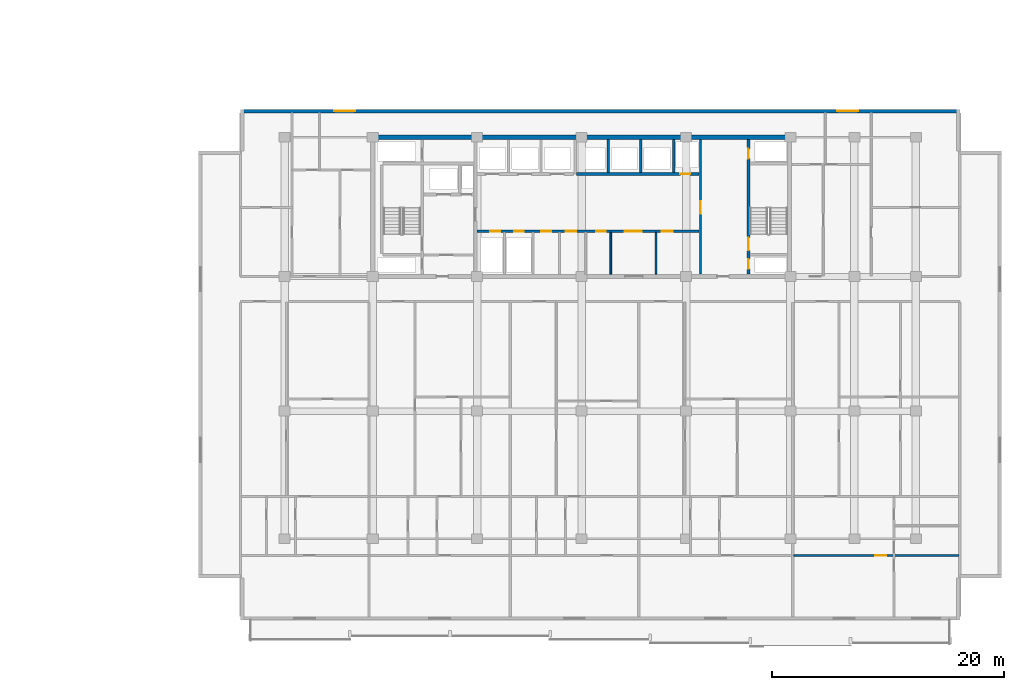
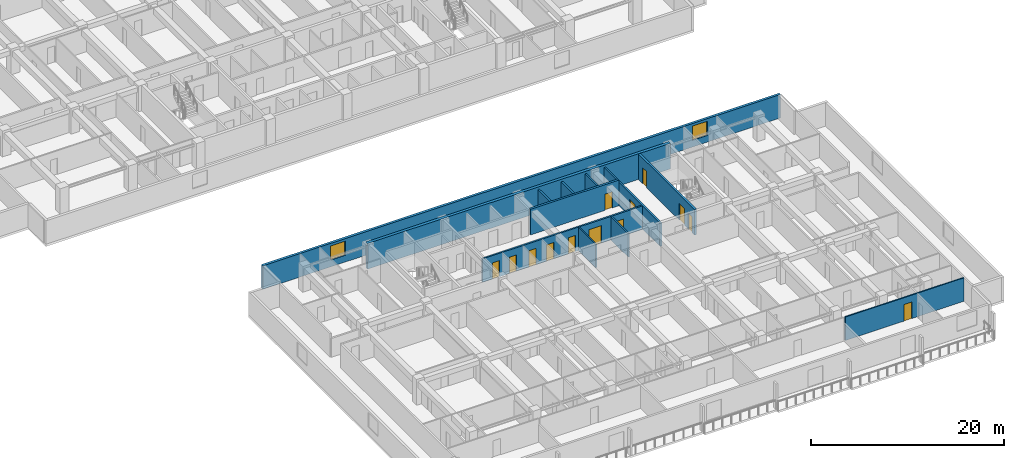
# One storey, part 7 of 23: 13 doors, 12 walls, 2 windows, 15 openings.
"""IFC4 building model written with IfcOpenShell, lengths in metres."""

from ifc_helpers import new_model, si_unit, direction, frame, frame_2d, origin, place, context, subcontext, project, spatial, rectangle, extrude, material, layer, layer_set, type_object, element, fill, save


model = new_model("IFC4")

# Units and contexts
model_context = context("Model", 3, precision=1e-05, world=origin(), true_north=direction((0.0, 1.0)))
body_context = subcontext(model_context, "Body", "Model", "MODEL_VIEW")
ifc_project = project(units=[si_unit("LENGTHUNIT", "METRE"), si_unit("AREAUNIT", "SQUARE_METRE"), si_unit("VOLUMEUNIT", "CUBIC_METRE"), si_unit("PLANEANGLEUNIT", "RADIAN"), si_unit("MASSUNIT", "GRAM", prefix="KILO")], contexts=[model_context])

# Site, building, storey
site_placement = place(None, origin())
site = spatial("IfcSite", under=ifc_project, at=site_placement, CompositionType="ELEMENT")
building_placement = place(site_placement, origin())
building = spatial("IfcBuilding", under=site, at=building_placement, Name="Korimba Cascade Residences", CompositionType="ELEMENT")
storey_placement = place(building_placement, frame((0.0, 0.0, 27.25)))
storey = spatial("IfcBuildingStorey", under=building, at=storey_placement, Name="L06", CompositionType="ELEMENT", Elevation=27.25)

# Wall, openings, windows
ifc_material_1 = material(Name="Precast concrete C40/50", Category="concrete")
ifc_layer_1 = layer(ifc_material_1, 0.300048828125)
ifc_layer_set_1 = layer_set([ifc_layer_1], Name="Precast concrete C40/50")
wall_type_1 = type_object("IfcWallType", Name="EW-STONE-300", PredefinedType="STANDARD", material=ifc_layer_set_1)
wall_1_placement = place(storey_placement, frame((132.699951171875, 32.64990234375, 0.0), z_axis=(0.0, 0.0, 1.0), x_axis=(-1.0, 0.0, 0.0)))
wall_1 = element("IfcWall", 1, at=wall_1_placement, inside=storey, type_object=wall_type_1, Name="L06 T2 Perimeter Stone Wall E06", PredefinedType="STANDARD", context=body_context, shape_type="SweptSolid", body=[
    extrude(rectangle(XDim=62.0, YDim=0.300048828125, at=frame_2d((31.0, 0.0))), origin(), (0.0, 0.0, 1.0), 2.969970703125),
])
opening_1_placement = place(wall_1_placement, frame((52.125, 0.0, 0.85009765625)))
opening_1 = element("IfcOpeningElement", 2, at=opening_1_placement, cuts=wall_1, Name="Opening W-02", PredefinedType="OPENING", context=body_context, shape_type="SweptSolid", body=[
    extrude(rectangle(XDim=1.800048828125, YDim=1.800048828125, at=frame_2d((0.89990234375, 0.89990234375))), frame((0.0, 0.16015625, 0.0), z_axis=(0.0, -1.0, 0.0), x_axis=(1.0, 0.0, 0.0)), (0.0, 0.0, 1.0), 0.320068359375),
])
opening_2_placement = place(wall_1_placement, frame((8.77490234375, 0.0, 0.85009765625)))
opening_2 = element("IfcOpeningElement", 3, at=opening_2_placement, cuts=wall_1, Name="Opening W-02", PredefinedType="OPENING", context=body_context, shape_type="SweptSolid", body=[
    extrude(rectangle(XDim=1.800048828125, YDim=1.800048828125, at=frame_2d((0.89990234375, 0.89990234375))), frame((0.0, 0.16015625, 0.0), z_axis=(0.0, -1.0, 0.0), x_axis=(1.0, 0.0, 0.0)), (0.0, 0.0, 1.0), 0.320068359375),
])
ifc_material_2 = material(Name="Double-Glazed Aluminium Window", Category="aluminium")
window_type = type_object("IfcWindowType", Name="WIN-BED-1800", PartitioningType="SINGLE_PANEL", PredefinedType="WINDOW", material=ifc_material_2)
window_1_placement = place(opening_1_placement, origin())
window_1 = element("IfcWindow", 4, at=window_1_placement, inside=storey, type_object=window_type, Name="L06 T2 North Corner Bedroom Window 1", OverallHeight=1.800048828125, OverallWidth=1.800048828125, PartitioningType="SINGLE_PANEL", PredefinedType="WINDOW", context=body_context, shape_type="SweptSolid", body=[
    extrude(rectangle(XDim=1.800048828125, YDim=1.800048828125, at=frame_2d((0.89990234375, 0.89990234375))), frame((0.0, 0.030029296875, 0.0), z_axis=(0.0, -1.0, 0.0), x_axis=(1.0, 0.0, 0.0)), (0.0, 0.0, 1.0), 0.06005859375),
])
fill(opening_1, window_1)
window_2_placement = place(opening_2_placement, origin())
window_2 = element("IfcWindow", 5, at=window_2_placement, inside=storey, type_object=window_type, Name="L06 T2 North Corner Bedroom Window 2", OverallHeight=1.800048828125, OverallWidth=1.800048828125, PartitioningType="SINGLE_PANEL", PredefinedType="WINDOW", context=body_context, shape_type="SweptSolid", body=[
    extrude(rectangle(XDim=1.800048828125, YDim=1.800048828125, at=frame_2d((0.89990234375, 0.89990234375))), frame((0.0, 0.030029296875, 0.0), z_axis=(0.0, -1.0, 0.0), x_axis=(1.0, 0.0, 0.0)), (0.0, 0.0, 1.0), 0.06005859375),
])
fill(opening_2, window_2)

# Walls
ifc_material_3 = material(Name="Concrete C65/80", Category="concrete")
ifc_layer_2 = layer(ifc_material_3, 0.35009765625)
ifc_layer_set_2 = layer_set([ifc_layer_2], Name="Concrete C65/80")
wall_type_2 = type_object("IfcWallType", Name="WAL-CORE-350", PredefinedType="SHEAR", material=ifc_layer_set_2)
wall_2_placement = place(storey_placement, frame((81.925048828125, 30.39990234375, 0.0), z_axis=(0.0, 0.0, 1.0), x_axis=(1.0, 0.0, 0.0)))
element("IfcWall", 6, at=wall_2_placement, inside=storey, type_object=wall_type_2, Name="L06 Core Shear Wall CW-L06-T2-N", PredefinedType="SHEAR", context=body_context, shape_type="SweptSolid", body=[
    extrude(rectangle(XDim=36.264892578125, YDim=0.35009765625, at=frame_2d((18.13232421875, 0.0))), origin(), (0.0, 0.0, 1.0), 3.25),
])
ifc_material_4 = material(Name="Insulated Acoustic Stud Partition", Category="gypsum")
ifc_layer_3 = layer(ifc_material_4, 0.14990234375)
ifc_layer_set_3 = layer_set([ifc_layer_3], Name="Insulated Acoustic Stud Partition")
wall_type_3 = type_object("IfcWallType", Name="WAL-PART-150", PredefinedType="PARTITIONING", material=ifc_layer_set_3)
for number, where, z_axis, x_axis, name in (
    (7, (102.60009765625, 18.60009765625, 0.0), (0.0, 0.0, 1.0), (0.0, 1.0, 0.0), "L06 Partition Wall CW-L06-T2-THW"),
    (8, (106.5, 18.60009765625, 0.0), (0.0, 0.0, 1.0), (0.0, 1.0, 0.0), "L06 Partition Wall CW-L06-T2-THE"),
):
    element("IfcWall", number, at=place(storey_placement, frame(where, z_axis=z_axis, x_axis=x_axis)), inside=storey, type_object=wall_type_3, Name=name, PredefinedType="PARTITIONING", context=body_context, shape_type="SweptSolid", body=[
        extrude(rectangle(XDim=3.599853515625, YDim=0.14990234375, at=frame_2d((1.7998046875, 0.0))), origin(), (0.0, 0.0, 1.0), 2.969970703125),
    ])

# Wall, opening, door
wall_3_placement = place(storey_placement, frame((118.38720703125, -5.64990234375, 0.0), z_axis=(0.0, 0.0, 1.0), x_axis=(1.0, 0.0, 0.0)))
wall_3 = element("IfcWall", 9, at=wall_3_placement, inside=storey, type_object=wall_type_3, Name="L06 Partition Wall WAL-L06-T2-U05-HZ", PredefinedType="PARTITIONING", context=body_context, shape_type="SweptSolid", body=[
    extrude(rectangle(XDim=14.23291015625, YDim=0.14990234375, at=frame_2d((7.116455078125, 0.0))), origin(), (0.0, 0.0, 1.0), 2.969970703125),
])
opening_3_placement = place(wall_3_placement, frame((7.01123046875, 0.0, 0.0)))
opening_3 = element("IfcOpeningElement", 10, at=opening_3_placement, cuts=wall_3, Name="Opening D-IN0", PredefinedType="OPENING", context=body_context, shape_type="SweptSolid", body=[
    extrude(rectangle(XDim=0.93994140625, YDim=2.10009765625, at=frame_2d((0.469970703125, 1.050048828125))), frame((0.0, 0.0849609375, 0.0), z_axis=(0.0, -1.0, 0.0), x_axis=(1.0, 0.0, 0.0)), (0.0, 0.0, 1.0), 0.169921875),
])
ifc_material_5 = material(Name="Acoustic Timber Living Archway Door", Category="wood")
door_type_1 = type_object("IfcDoorType", Name="DR-INT-950", OperationType="NOTDEFINED", PredefinedType="DOOR", material=ifc_material_5)
door_1_placement = place(opening_3_placement, origin())
door_1 = element("IfcDoor", 11, at=door_1_placement, inside=storey, type_object=door_type_1, Name="L06-T2-U05 Living Archway Door", OperationType="SINGLE_SWING_LEFT", OverallHeight=2.10009765625, OverallWidth=0.93994140625, PredefinedType="DOOR", context=body_context, shape_type="SweptSolid", body=[
    extrude(rectangle(XDim=0.93994140625, YDim=2.10009765625, at=frame_2d((0.469970703125, 1.050048828125))), frame((0.0, 0.02490234375, 0.0), z_axis=(0.0, -1.0, 0.0), x_axis=(1.0, 0.0, 0.0)), (0.0, 0.0, 1.0), 0.050048828125),
])
fill(opening_3, door_1)

# Walls
ifc_material_6 = material(Name="Concrete C40/50", Category="concrete")
ifc_layer_4 = layer(ifc_material_6, 0.199951171875)
ifc_layer_set_4 = layer_set([ifc_layer_4], Name="Concrete C40/50")
wall_type_4 = type_object("IfcWallType", Name="WAL-PART-200", PredefinedType="PARTITIONING", material=ifc_layer_set_4)
for number, where, z_axis, x_axis, name in (
    (12, (102.39990234375, 27.3798828125, 0.0), (0.0, 0.0, 1.0), (0.0, 1.0, 0.0), "L06 Partition Wall CW-L06-T2-B2D1"),
    (13, (105.199951171875, 27.3798828125, 0.0), (0.0, 0.0, 1.0), (0.0, 1.0, 0.0), "L06 Partition Wall CW-L06-T2-B2D2"),
    (14, (108.050048828125, 27.3798828125, 0.0), (0.0, 0.0, 1.0), (0.0, 1.0, 0.0), "L06 Partition Wall CW-L06-T2-B2D3"),
):
    element("IfcWall", number, at=place(storey_placement, frame(where, z_axis=z_axis, x_axis=x_axis)), inside=storey, type_object=wall_type_4, Name=name, PredefinedType="PARTITIONING", context=body_context, shape_type="SweptSolid", body=[
        extrude(rectangle(XDim=2.820068359375, YDim=0.199951171875, at=frame_2d((1.41015625, 0.0))), origin(), (0.0, 0.0, 1.0), 2.969970703125),
    ])

# Wall, openings, doors
wall_4_placement = place(storey_placement, frame((91.080078125, 22.300048828125, 0.0), z_axis=(0.0, 0.0, 1.0), x_axis=(1.0, 0.0, 0.0)))
wall_4 = element("IfcWall", 15, at=wall_4_placement, inside=storey, type_object=wall_type_4, Name="L06 Partition Wall CW-L06-T2-SRVROW", PredefinedType="PARTITIONING", context=body_context, shape_type="SweptSolid", body=[
    extrude(rectangle(XDim=19.139892578125, YDim=0.199951171875, at=frame_2d((9.56982421875, 0.0))), origin(), (0.0, 0.0, 1.0), 2.969970703125),
])
opening_4_placement = place(wall_4_placement, frame((1.14990234375, 0.0, 0.0)))
opening_4 = element("IfcOpeningElement", 16, at=opening_4_placement, cuts=wall_4, Name="Opening D-RS1", PredefinedType="OPENING", context=body_context, shape_type="SweptSolid", body=[
    extrude(rectangle(XDim=0.85009765625, YDim=2.050048828125, at=frame_2d((0.425048828125, 1.02490234375))), frame((0.0, 0.10986328125, 0.0), z_axis=(0.0, -1.0, 0.0), x_axis=(1.0, 0.0, 0.0)), (0.0, 0.0, 1.0), 0.219970703125),
])
opening_5_placement = place(wall_4_placement, frame((3.199951171875, 0.0, 0.0)))
opening_5 = element("IfcOpeningElement", 17, at=opening_5_placement, cuts=wall_4, Name="Opening D-RS1", PredefinedType="OPENING", context=body_context, shape_type="SweptSolid", body=[
    extrude(rectangle(XDim=0.85009765625, YDim=2.050048828125, at=frame_2d((0.425048828125, 1.02490234375))), frame((0.0, 0.10986328125, 0.0), z_axis=(0.0, -1.0, 0.0), x_axis=(1.0, 0.0, 0.0)), (0.0, 0.0, 1.0), 0.219970703125),
])
opening_6_placement = place(wall_4_placement, frame((12.719970703125, 0.0, 0.0)))
opening_6 = element("IfcOpeningElement", 18, at=opening_6_placement, cuts=wall_4, Name="Opening D-FD8", PredefinedType="OPENING", context=body_context, shape_type="SweptSolid", body=[
    extrude(rectangle(XDim=1.5, YDim=2.199951171875, at=frame_2d((0.75, 1.10009765625))), frame((0.0, 0.10986328125, 0.0), z_axis=(0.0, -1.0, 0.0), x_axis=(1.0, 0.0, 0.0)), (0.0, 0.0, 1.0), 0.219970703125),
])
opening_7_placement = place(wall_4_placement, frame((5.52001953125, 0.0, 0.0)))
opening_7 = element("IfcOpeningElement", 19, at=opening_7_placement, cuts=wall_4, Name="Opening D-IN2", PredefinedType="OPENING", context=body_context, shape_type="SweptSolid", body=[
    extrude(rectangle(XDim=0.8798828125, YDim=2.06005859375, at=frame_2d((0.43994140625, 1.030029296875))), frame((0.0, 0.10986328125, 0.0), z_axis=(0.0, -1.0, 0.0), x_axis=(1.0, 0.0, 0.0)), (0.0, 0.0, 1.0), 0.219970703125),
])
opening_8_placement = place(wall_4_placement, frame((7.669921875, 0.0, 0.0)))
opening_8 = element("IfcOpeningElement", 20, at=opening_8_placement, cuts=wall_4, Name="Opening D-IN2", PredefinedType="OPENING", context=body_context, shape_type="SweptSolid", body=[
    extrude(rectangle(XDim=0.8798828125, YDim=2.06005859375, at=frame_2d((0.43994140625, 1.030029296875))), frame((0.0, 0.10986328125, 0.0), z_axis=(0.0, -1.0, 0.0), x_axis=(1.0, 0.0, 0.0)), (0.0, 0.0, 1.0), 0.219970703125),
])
opening_9_placement = place(wall_4_placement, frame((10.27001953125, 0.0, 0.0)))
opening_9 = element("IfcOpeningElement", 21, at=opening_9_placement, cuts=wall_4, Name="Opening D-RS1", PredefinedType="OPENING", context=body_context, shape_type="SweptSolid", body=[
    extrude(rectangle(XDim=0.85009765625, YDim=2.050048828125, at=frame_2d((0.425048828125, 1.02490234375))), frame((0.0, 0.10986328125, 0.0), z_axis=(0.0, -1.0, 0.0), x_axis=(1.0, 0.0, 0.0)), (0.0, 0.0, 1.0), 0.219970703125),
])
opening_10_placement = place(wall_4_placement, frame((15.919921875, 0.0, 0.0)))
opening_10 = element("IfcOpeningElement", 22, at=opening_10_placement, cuts=wall_4, Name="Opening D-AC1", PredefinedType="OPENING", context=body_context, shape_type="SweptSolid", body=[
    extrude(rectangle(XDim=0.9599609375, YDim=2.10009765625, at=frame_2d((0.47998046875, 1.050048828125))), frame((0.0, 0.10986328125, 0.0), z_axis=(0.0, -1.0, 0.0), x_axis=(1.0, 0.0, 0.0)), (0.0, 0.0, 1.0), 0.219970703125),
])
ifc_material_7 = material(Name="Accessible Acoustic Timber WC Door", Category="wood")
door_type_2 = type_object("IfcDoorType", Name="DR-ACC-950", OperationType="NOTDEFINED", PredefinedType="DOOR", material=ifc_material_7)
door_2_placement = place(opening_10_placement, origin())
door_2 = element("IfcDoor", 23, at=door_2_placement, inside=storey, type_object=door_type_2, Name="L06 T2 Accessible Staff WC Door", OperationType="SINGLE_SWING_RIGHT", OverallHeight=2.10009765625, OverallWidth=0.9599609375, PredefinedType="DOOR", context=body_context, shape_type="SweptSolid", body=[
    extrude(rectangle(XDim=0.9599609375, YDim=2.10009765625, at=frame_2d((0.47998046875, 1.050048828125))), frame((0.0, 0.02490234375, 0.0), z_axis=(0.0, -1.0, 0.0), x_axis=(1.0, 0.0, 0.0)), (0.0, 0.0, 1.0), 0.050048828125),
])
fill(opening_10, door_2)
ifc_material_8 = material(Name="Fire-Rated Steel Riser Access Door", Category="steel")
door_type_3 = type_object("IfcDoorType", Name="DR-FD60-850", OperationType="NOTDEFINED", PredefinedType="DOOR", material=ifc_material_8)
door_3_placement = place(opening_4_placement, origin())
door_3 = element("IfcDoor", 24, at=door_3_placement, inside=storey, type_object=door_type_3, Name="L06 T2 Electrical Riser Door", OperationType="SINGLE_SWING_LEFT", OverallHeight=2.050048828125, OverallWidth=0.85009765625, PredefinedType="DOOR", context=body_context, shape_type="SweptSolid", body=[
    extrude(rectangle(XDim=0.85009765625, YDim=2.050048828125, at=frame_2d((0.425048828125, 1.02490234375))), frame((0.0, 0.02490234375, 0.0), z_axis=(0.0, -1.0, 0.0), x_axis=(1.0, 0.0, 0.0)), (0.0, 0.0, 1.0), 0.050048828125),
])
fill(opening_4, door_3)
door_4_placement = place(opening_5_placement, origin())
door_4 = element("IfcDoor", 25, at=door_4_placement, inside=storey, type_object=door_type_3, Name="L06 T2 Plumbing Riser Door", OperationType="SINGLE_SWING_RIGHT", OverallHeight=2.050048828125, OverallWidth=0.85009765625, PredefinedType="DOOR", context=body_context, shape_type="SweptSolid", body=[
    extrude(rectangle(XDim=0.85009765625, YDim=2.050048828125, at=frame_2d((0.425048828125, 1.02490234375))), frame((0.0, 0.02490234375, 0.0), z_axis=(0.0, -1.0, 0.0), x_axis=(1.0, 0.0, 0.0)), (0.0, 0.0, 1.0), 0.050048828125),
])
fill(opening_5, door_4)
door_5_placement = place(opening_9_placement, origin())
door_5 = element("IfcDoor", 26, at=door_5_placement, inside=storey, type_object=door_type_3, Name="L06 T2 IT Room Door", OperationType="SINGLE_SWING_LEFT", OverallHeight=2.050048828125, OverallWidth=0.85009765625, PredefinedType="DOOR", context=body_context, shape_type="SweptSolid", body=[
    extrude(rectangle(XDim=0.85009765625, YDim=2.050048828125, at=frame_2d((0.425048828125, 1.02490234375))), frame((0.0, 0.02490234375, 0.0), z_axis=(0.0, -1.0, 0.0), x_axis=(1.0, 0.0, 0.0)), (0.0, 0.0, 1.0), 0.050048828125),
])
fill(opening_9, door_5)
ifc_material_9 = material(Name="Fire-Rated Glazed Lift Lobby Double Door", Category="glass")
door_type_4 = type_object("IfcDoorType", Name="DR-FD90-1500", OperationType="NOTDEFINED", PredefinedType="DOOR", material=ifc_material_9)
door_6_placement = place(opening_6_placement, origin())
door_6 = element("IfcDoor", 27, at=door_6_placement, inside=storey, type_object=door_type_4, Name="L06 T2 Lift Lobby Foyer Door", OperationType="DOUBLE_DOOR_SINGLE_SWING", OverallHeight=2.199951171875, OverallWidth=1.5, PredefinedType="DOOR", context=body_context, shape_type="SweptSolid", body=[
    extrude(rectangle(XDim=1.5, YDim=2.199951171875, at=frame_2d((0.75, 1.10009765625))), frame((0.0, 0.02490234375, 0.0), z_axis=(0.0, -1.0, 0.0), x_axis=(1.0, 0.0, 0.0)), (0.0, 0.0, 1.0), 0.050048828125),
])
fill(opening_6, door_6)
ifc_material_10 = material(Name="Acoustic Timber Bedroom Door", Category="wood")
door_type_5 = type_object("IfcDoorType", Name="DR-INT-880", OperationType="NOTDEFINED", PredefinedType="DOOR", material=ifc_material_10)
door_7_placement = place(opening_7_placement, origin())
door_7 = element("IfcDoor", 28, at=door_7_placement, inside=storey, type_object=door_type_5, Name="L06 T2 Cleaners Door", OperationType="SINGLE_SWING_LEFT", OverallHeight=2.06005859375, OverallWidth=0.8798828125, PredefinedType="DOOR", context=body_context, shape_type="SweptSolid", body=[
    extrude(rectangle(XDim=0.8798828125, YDim=2.06005859375, at=frame_2d((0.43994140625, 1.030029296875))), frame((0.0, 0.02490234375, 0.0), z_axis=(0.0, -1.0, 0.0), x_axis=(1.0, 0.0, 0.0)), (0.0, 0.0, 1.0), 0.050048828125),
])
fill(opening_7, door_7)
door_8_placement = place(opening_8_placement, origin())
door_8 = element("IfcDoor", 29, at=door_8_placement, inside=storey, type_object=door_type_5, Name="L06 T2 Pantry Door", OperationType="SINGLE_SWING_RIGHT", OverallHeight=2.06005859375, OverallWidth=0.8798828125, PredefinedType="DOOR", context=body_context, shape_type="SweptSolid", body=[
    extrude(rectangle(XDim=0.8798828125, YDim=2.06005859375, at=frame_2d((0.43994140625, 1.030029296875))), frame((0.0, 0.02490234375, 0.0), z_axis=(0.0, -1.0, 0.0), x_axis=(1.0, 0.0, 0.0)), (0.0, 0.0, 1.0), 0.050048828125),
])
fill(opening_8, door_8)

# Wall, opening, door
wall_5_placement = place(storey_placement, frame((110.35009765625, 18.60009765625, 0.0), z_axis=(0.0, 0.0, 1.0), x_axis=(0.0, 1.0, 0.0)))
wall_5 = element("IfcWall", 30, at=wall_5_placement, inside=storey, type_object=wall_type_4, Name="L06 Partition Wall CW-L06-T2-LLEV", PredefinedType="PARTITIONING", context=body_context, shape_type="SweptSolid", body=[
    extrude(rectangle(XDim=11.599853515625, YDim=0.199951171875, at=frame_2d((5.7998046875, 0.0))), origin(), (0.0, 0.0, 1.0), 2.969970703125),
])
opening_11_placement = place(wall_5_placement, frame((5.199951171875, 0.0, 0.0)))
opening_11 = element("IfcOpeningElement", 31, at=opening_11_placement, cuts=wall_5, Name="Opening D-FD6", PredefinedType="OPENING", context=body_context, shape_type="SweptSolid", body=[
    extrude(rectangle(XDim=1.10009765625, YDim=2.14990234375, at=frame_2d((0.550048828125, 1.074951171875))), frame((0.0, 0.10986328125, 0.0), z_axis=(0.0, -1.0, 0.0), x_axis=(1.0, 0.0, 0.0)), (0.0, 0.0, 1.0), 0.219970703125),
])
ifc_material_11 = material(Name="Fire-Rated Timber Stair Lobby Door", Category="wood")
door_type_6 = type_object("IfcDoorType", Name="DR-FD90-1100", OperationType="NOTDEFINED", PredefinedType="DOOR", material=ifc_material_11)
door_9_placement = place(opening_11_placement, origin())
door_9 = element("IfcDoor", 32, at=door_9_placement, inside=storey, type_object=door_type_6, Name="L06 T2 Lift Lobby to East Stair Lobby Door", OperationType="SINGLE_SWING_LEFT", OverallHeight=2.14990234375, OverallWidth=1.10009765625, PredefinedType="DOOR", context=body_context, shape_type="SweptSolid", body=[
    extrude(rectangle(XDim=1.10009765625, YDim=2.14990234375, at=frame_2d((0.550048828125, 1.074951171875))), frame((0.0, 0.02490234375, 0.0), z_axis=(0.0, -1.0, 0.0), x_axis=(1.0, 0.0, 0.0)), (0.0, 0.0, 1.0), 0.050048828125),
])
fill(opening_11, door_9)

ifc_material_12 = material(Name="Concrete C50/60", Category="concrete")
ifc_layer_5 = layer(ifc_material_12, 0.25)
ifc_layer_set_5 = layer_set([ifc_layer_5], Name="Concrete C50/60")
wall_type_5 = type_object("IfcWallType", Name="WAL-SHAFT-250", PredefinedType="SHEAR", material=ifc_layer_set_5)
wall_6_placement = place(storey_placement, frame((99.679931640625, 27.25, 0.0), z_axis=(0.0, 0.0, 1.0), x_axis=(1.0, 0.0, 0.0)))
wall_6 = element("IfcWall", 33, at=wall_6_placement, inside=storey, type_object=wall_type_5, Name="L06 Core Shear Wall CW-L06-T2-B2S", PredefinedType="SHEAR", context=body_context, shape_type="SweptSolid", body=[
    extrude(rectangle(XDim=10.5400390625, YDim=0.25, at=frame_2d((5.27001953125, 0.0))), origin(), (0.0, 0.0, 1.0), 3.25),
])
opening_12_placement = place(wall_6_placement, frame((8.919921875, 0.0, 0.0)))
opening_12 = element("IfcOpeningElement", 34, at=opening_12_placement, cuts=wall_6, Name="Opening D-RS1", PredefinedType="OPENING", context=body_context, shape_type="SweptSolid", body=[
    extrude(rectangle(XDim=0.85009765625, YDim=2.050048828125, at=frame_2d((0.425048828125, 1.02490234375))), frame((0.0, 0.135009765625, 0.0), z_axis=(0.0, -1.0, 0.0), x_axis=(1.0, 0.0, 0.0)), (0.0, 0.0, 1.0), 0.27001953125),
])
door_10_placement = place(opening_12_placement, origin())
door_10 = element("IfcDoor", 35, at=door_10_placement, inside=storey, type_object=door_type_3, Name="L06 T2 Duct Door", OperationType="SINGLE_SWING_RIGHT", OverallHeight=2.050048828125, OverallWidth=0.85009765625, PredefinedType="DOOR", context=body_context, shape_type="SweptSolid", body=[
    extrude(rectangle(XDim=0.85009765625, YDim=2.050048828125, at=frame_2d((0.425048828125, 1.02490234375))), frame((0.0, 0.02490234375, 0.0), z_axis=(0.0, -1.0, 0.0), x_axis=(1.0, 0.0, 0.0)), (0.0, 0.0, 1.0), 0.050048828125),
])
fill(opening_12, door_10)

# Wall, openings, doors
wall_7_placement = place(storey_placement, frame((114.47509765625, 18.60009765625, 0.0), z_axis=(0.0, 0.0, 1.0), x_axis=(0.0, 1.0, 0.0)))
wall_7 = element("IfcWall", 36, at=wall_7_placement, inside=storey, type_object=wall_type_5, Name="L06 Core Shear Wall CW-L06-T2-STE2W", PredefinedType="SHEAR", context=body_context, shape_type="SweptSolid", body=[
    extrude(rectangle(XDim=11.599853515625, YDim=0.25, at=frame_2d((5.7998046875, 0.0))), origin(), (0.0, 0.0, 1.0), 3.25),
])
opening_13_placement = place(wall_7_placement, frame((0.449951171875, 0.0, 0.0)))
opening_13 = element("IfcOpeningElement", 37, at=opening_13_placement, cuts=wall_7, Name="Opening D-RS1", PredefinedType="OPENING", context=body_context, shape_type="SweptSolid", body=[
    extrude(rectangle(XDim=0.85009765625, YDim=2.050048828125, at=frame_2d((0.425048828125, 1.02490234375))), frame((0.0, 0.135009765625, 0.0), z_axis=(0.0, -1.0, 0.0), x_axis=(1.0, 0.0, 0.0)), (0.0, 0.0, 1.0), 0.27001953125),
])
opening_14_placement = place(wall_7_placement, frame((2.050048828125, 0.0, 0.0)))
opening_14 = element("IfcOpeningElement", 38, at=opening_14_placement, cuts=wall_7, Name="Opening D-FD1", PredefinedType="OPENING", context=body_context, shape_type="SweptSolid", body=[
    extrude(rectangle(XDim=1.10009765625, YDim=2.10009765625, at=frame_2d((0.550048828125, 1.050048828125))), frame((0.0, 0.135009765625, 0.0), z_axis=(0.0, -1.0, 0.0), x_axis=(1.0, 0.0, 0.0)), (0.0, 0.0, 1.0), 0.27001953125),
])
opening_15_placement = place(wall_7_placement, frame((9.949951171875, 0.0, 0.0)))
opening_15 = element("IfcOpeningElement", 39, at=opening_15_placement, cuts=wall_7, Name="Opening D-RS1", PredefinedType="OPENING", context=body_context, shape_type="SweptSolid", body=[
    extrude(rectangle(XDim=0.85009765625, YDim=2.050048828125, at=frame_2d((0.425048828125, 1.02490234375))), frame((0.0, 0.135009765625, 0.0), z_axis=(0.0, -1.0, 0.0), x_axis=(1.0, 0.0, 0.0)), (0.0, 0.0, 1.0), 0.27001953125),
])
ifc_material_13 = material(Name="Fire-Rated Steel Core Door", Category="steel")
door_type_7 = type_object("IfcDoorType", Name="DR-FD120-1100", OperationType="NOTDEFINED", PredefinedType="DOOR", material=ifc_material_13)
door_11_placement = place(opening_14_placement, origin())
door_11 = element("IfcDoor", 40, at=door_11_placement, inside=storey, type_object=door_type_7, Name="L06 Fire Stair ST-E2 Door", OperationType="SINGLE_SWING_LEFT", OverallHeight=2.10009765625, OverallWidth=1.10009765625, PredefinedType="DOOR", context=body_context, shape_type="SweptSolid", body=[
    extrude(rectangle(XDim=1.10009765625, YDim=2.10009765625, at=frame_2d((0.550048828125, 1.050048828125))), frame((0.0, 0.02490234375, 0.0), z_axis=(0.0, -1.0, 0.0), x_axis=(1.0, 0.0, 0.0)), (0.0, 0.0, 1.0), 0.050048828125),
])
fill(opening_14, door_11)
door_12_placement = place(opening_13_placement, origin())
door_12 = element("IfcDoor", 41, at=door_12_placement, inside=storey, type_object=door_type_3, Name="L06 T2 East Hydrant Door", OperationType="SINGLE_SWING_RIGHT", OverallHeight=2.050048828125, OverallWidth=0.85009765625, PredefinedType="DOOR", context=body_context, shape_type="SweptSolid", body=[
    extrude(rectangle(XDim=0.85009765625, YDim=2.050048828125, at=frame_2d((0.425048828125, 1.02490234375))), frame((0.0, 0.02490234375, 0.0), z_axis=(0.0, -1.0, 0.0), x_axis=(1.0, 0.0, 0.0)), (0.0, 0.0, 1.0), 0.050048828125),
])
fill(opening_13, door_12)
door_13_placement = place(opening_15_placement, origin())
door_13 = element("IfcDoor", 42, at=door_13_placement, inside=storey, type_object=door_type_3, Name="L06 T2 East Riser Door", OperationType="SINGLE_SWING_RIGHT", OverallHeight=2.050048828125, OverallWidth=0.85009765625, PredefinedType="DOOR", context=body_context, shape_type="SweptSolid", body=[
    extrude(rectangle(XDim=0.85009765625, YDim=2.050048828125, at=frame_2d((0.425048828125, 1.02490234375))), frame((0.0, 0.02490234375, 0.0), z_axis=(0.0, -1.0, 0.0), x_axis=(1.0, 0.0, 0.0)), (0.0, 0.0, 1.0), 0.050048828125),
])
fill(opening_15, door_13)

save(model, "model.ifc")
